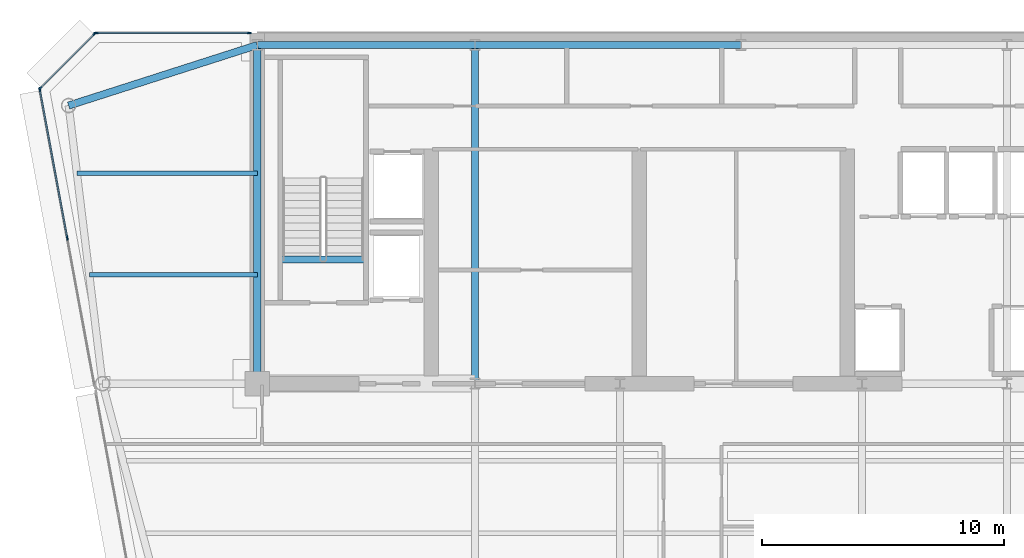
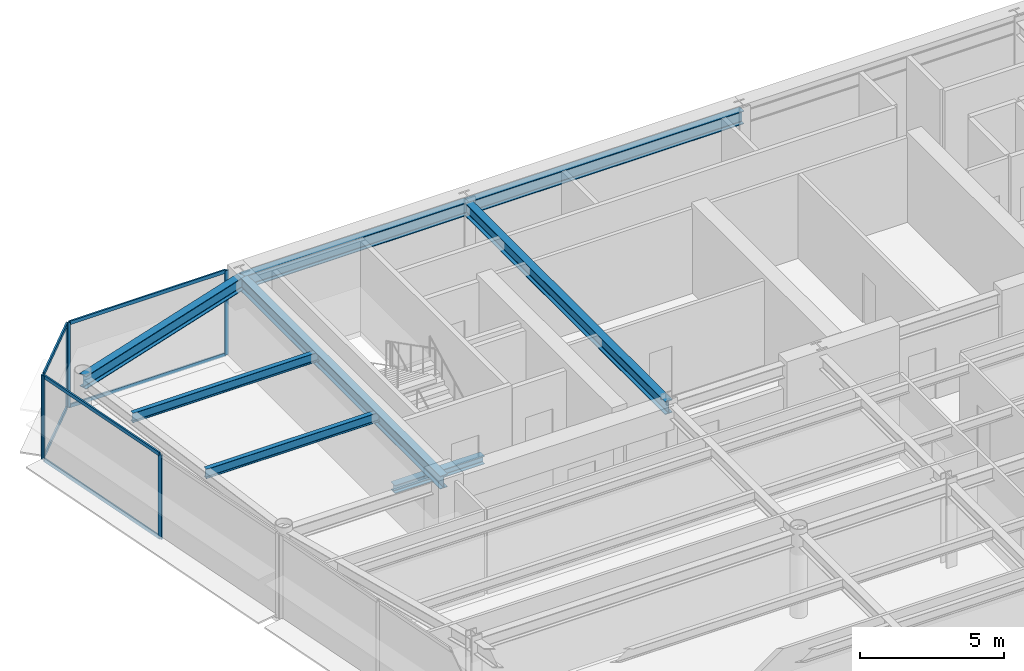
# One storey, part 8 of 16: 12 members, 8 beams, 3 elements without a shape of their own.
"""IFC4 building model written with IfcOpenShell, lengths in metres."""

import ifcopenshell
import ifcopenshell.guid

model = None  # the IFC model being written
_history = None  # IfcOwnerHistory: only IFC2X3 demands one
_inside = {}  # id of a spatial element -> (the spatial element, [elements in it])
_under = {}  # id of a project, library or spatial element -> (it, [spatial elements below it])
_declared = {}  # id of a project -> (the project, [libraries it declares])
_typed = {}  # id of a type object -> (the type object, [elements of that type])
_made_of = {}  # id of a material, layer set ... -> (it, [elements and type objects made of it])


def new_model(schema):
    """Start an empty IFC model of exactly this schema.

    Asked for "IFC4X3", IfcOpenShell would pick the latest addendum, in which some entities
    have other attributes; the version numbers below select the first issue.
    IFC2X3 requires an IfcOwnerHistory on every rooted entity: one is made here for all.
    """
    global model, _history
    if schema == "IFC4X3":
        model = ifcopenshell.file(schema_version=(4, 3, 0, 0))
    else:
        model = ifcopenshell.file(schema=schema)
    _inside.clear()
    _under.clear()
    _declared.clear()
    _typed.clear()
    _made_of.clear()
    _history = None
    if model.schema == "IFC2X3":
        org = make("IfcOrganization", Name="unknown")
        user = make(
            "IfcPersonAndOrganization",
            ThePerson=make("IfcPerson", FamilyName="unknown"),
            TheOrganization=org,
        )
        app = make(
            "IfcApplication",
            ApplicationDeveloper=org,
            Version="unknown",
            ApplicationFullName="unknown",
            ApplicationIdentifier="unknown",
        )
        _history = make(
            "IfcOwnerHistory",
            OwningUser=user,
            OwningApplication=app,
            ChangeAction="ADDED",
            CreationDate=0,
        )
    return model


def make(cls, **values):
    """One entity of the class cls with the attributes given. An attribute that is None is left unset."""
    return model.create_entity(
        cls, **{name: value for name, value in values.items() if value is not None}
    )


def rooted(cls, **values):
    """An entity with a GlobalId (a new one), such as an element, a storey or a relation."""
    return make(cls, GlobalId=ifcopenshell.guid.new(), OwnerHistory=_history, **values)


def si_unit(unit_type, name, prefix=None):
    """IfcSIUnit, for example si_unit("LENGTHUNIT", "METRE", prefix="MILLI")."""
    return make("IfcSIUnit", UnitType=unit_type, Prefix=prefix, Name=name)


def assignment(units):
    """IfcUnitAssignment: the units of a project."""
    return None if units is None else make("IfcUnitAssignment", Units=units)


def point(xyz):
    """IfcCartesianPoint."""
    return None if xyz is None else make("IfcCartesianPoint", Coordinates=xyz)


def direction(xyz):
    """IfcDirection."""
    return None if xyz is None else make("IfcDirection", DirectionRatios=xyz)


def frame(location, z_axis=None, x_axis=None):
    """IfcAxis2Placement3D, a coordinate frame: its origin and axes. An axis left out is left unset."""
    return make(
        "IfcAxis2Placement3D",
        Location=point(location),
        Axis=direction(z_axis),
        RefDirection=direction(x_axis),
    )


def frame_2d(location, x_axis=None):
    """IfcAxis2Placement2D, a coordinate frame in the plane: its origin and x axis."""
    return make(
        "IfcAxis2Placement2D", Location=point(location), RefDirection=direction(x_axis)
    )


def origin():
    """The frame at (0, 0, 0) with its axes left unset."""
    return frame((0.0, 0.0, 0.0))


def origin_2d():
    """The frame at (0, 0) in the plane with its x axis left unset."""
    return frame_2d((0.0, 0.0))


def place(relative_to, where):
    """IfcLocalPlacement: puts the frame where relative to a parent placement (None: the world)."""
    return make(
        "IfcLocalPlacement", PlacementRelTo=relative_to, RelativePlacement=where
    )


def context(
    kind, dimensions, precision=None, world=None, true_north=None, identifier=None
):
    """IfcGeometricRepresentationContext, for example the 3D "Model" context."""
    return make(
        "IfcGeometricRepresentationContext",
        ContextIdentifier=identifier,
        ContextType=kind,
        CoordinateSpaceDimension=dimensions,
        Precision=precision,
        WorldCoordinateSystem=world,
        TrueNorth=true_north,
    )


def subcontext(parent, identifier, kind, view, scale=None):
    """IfcGeometricRepresentationSubContext, for example "Body" below "Model"."""
    return make(
        "IfcGeometricRepresentationSubContext",
        ContextIdentifier=identifier,
        ContextType=kind,
        ParentContext=parent,
        TargetScale=scale,
        TargetView=view,
    )


def project(units=None, contexts=None):
    """IfcProject with its units and contexts."""
    return rooted(
        "IfcProject",
        Name="project",
        RepresentationContexts=contexts,
        UnitsInContext=assignment(units),
    )


def spatial(cls, under=None, at=None, **own):
    """A site, building, storey or space (cls), placed at a placement, below another one or the project."""
    s = rooted(cls, ObjectPlacement=at, **own)
    if under is not None:
        _under.setdefault(under.id(), (under, []))[1].append(s)
    return s


def profile(cls, at=None, kind="AREA", **sizes):
    """A parametric profile (cls). Its sizes go by their IFC names, for example OverallWidth=200.0."""
    return make(cls, ProfileType=kind, Position=at, **sizes)


def rectangle(**sizes):
    """IfcRectangleProfileDef."""
    return profile("IfcRectangleProfileDef", **sizes)


def i_section(**sizes):
    """IfcIShapeProfileDef."""
    return profile("IfcIShapeProfileDef", **sizes)


def extrude(swept, where, along, depth):
    """IfcExtrudedAreaSolid: the profile swept, set in the frame where, extruded along a direction by depth."""
    return make(
        "IfcExtrudedAreaSolid",
        SweptArea=swept,
        Position=where,
        ExtrudedDirection=direction(along),
        Depth=depth,
    )


def shape(context_of_items, identifier, shape_type, items):
    """IfcShapeRepresentation: the items that make up one representation, for example the "Body"."""
    return make(
        "IfcShapeRepresentation",
        ContextOfItems=context_of_items,
        RepresentationIdentifier=identifier,
        RepresentationType=shape_type,
        Items=items,
    )


def source(mapping_origin, context_of_items, identifier, shape_type, items):
    """IfcRepresentationMap: a shape defined once, which mapped items show again and again."""
    return make(
        "IfcRepresentationMap",
        MappingOrigin=mapping_origin,
        MappedRepresentation=shape(context_of_items, identifier, shape_type, items),
    )


def transform(
    local_origin,
    x_axis=None,
    y_axis=None,
    z_axis=None,
    scale=None,
    scale2=None,
    scale3=None,
    uniform=True,
):
    """IfcCartesianTransformationOperator3D, or its non-uniform kind. x_axis, y_axis, z_axis: its Axis1, 2, 3."""
    if uniform:
        return make(
            "IfcCartesianTransformationOperator3D",
            Axis1=direction(x_axis),
            Axis2=direction(y_axis),
            LocalOrigin=point(local_origin),
            Scale=scale,
            Axis3=direction(z_axis),
        )
    return make(
        "IfcCartesianTransformationOperator3DnonUniform",
        Axis1=direction(x_axis),
        Axis2=direction(y_axis),
        LocalOrigin=point(local_origin),
        Scale=scale,
        Axis3=direction(z_axis),
        Scale2=scale2,
        Scale3=scale3,
    )


def mapped(mapping_source, mapping_target):
    """IfcMappedItem: shows the shape of a source again, moved by a transform."""
    return make(
        "IfcMappedItem", MappingSource=mapping_source, MappingTarget=mapping_target
    )


def material(Name=None, Category=None):
    """IfcMaterial."""
    return make("IfcMaterial", Name=Name, Category=Category)


def layer(
    of_material, thickness, ventilated=None, Name=None, Category=None, Priority=None
):
    """IfcMaterialLayer: one layer of a wall or slab, of a material (None: an air gap)."""
    return make(
        "IfcMaterialLayer",
        Material=of_material,
        LayerThickness=thickness,
        IsVentilated=ventilated,
        Name=Name,
        Category=Category,
        Priority=Priority,
    )


def layer_set(layers, Name=None):
    """IfcMaterialLayerSet."""
    return make("IfcMaterialLayerSet", MaterialLayers=layers, LayerSetName=Name)


def material_profile(
    of_material, cross_section, Name=None, Category=None, Priority=None
):
    """IfcMaterialProfile: a cross section and its material."""
    return make(
        "IfcMaterialProfile",
        Name=Name,
        Material=of_material,
        Profile=cross_section,
        Priority=Priority,
        Category=Category,
    )


def profile_set(profiles, Name=None, composite=None):
    """IfcMaterialProfileSet."""
    return make(
        "IfcMaterialProfileSet",
        Name=Name,
        MaterialProfiles=profiles,
        CompositeProfile=composite,
    )


def made_of(thing, what):
    """Note that an element or type object is made of a material, layer set ...; save() writes the relation."""
    if what is not None:
        _made_of.setdefault(what.id(), (what, []))[1].append(thing)
    return thing


def type_object(cls, material=None, **own):
    """A type object (cls), such as IfcWallType, which elements share."""
    return made_of(rooted(cls, **own), material)


def element(
    cls,
    number,
    at=None,
    inside=None,
    cuts=None,
    type_object=None,
    material=None,
    context=None,
    identifier="Body",
    shape_type=None,
    held_by="IfcProductDefinitionShape",
    body=None,
    shapes=None,
    **own,
):
    """One element of the class cls, such as IfcWall. Its Tag is "e" and its number.

    at: its placement. inside: the storey or other place that contains it. cuts: it is an
    opening in that element (IfcRelVoidsElement). A single representation is given by context,
    identifier, shape_type and body (its items); several are given by shapes. held_by: the class
    of the entity that holds the representations. save() writes the other relations.
    """
    e = rooted(cls, Tag="e%d" % number, ObjectPlacement=at, **own)
    if body is not None:
        shapes = [shape(context, identifier, shape_type, body)]
    if shapes is not None:
        e.Representation = make(held_by, Representations=shapes)
    if inside is not None:
        _inside.setdefault(inside.id(), (inside, []))[1].append(e)
    if cuts is not None:
        rooted(
            "IfcRelVoidsElement", RelatingBuildingElement=cuts, RelatedOpeningElement=e
        )
    if type_object is not None:
        _typed.setdefault(type_object.id(), (type_object, []))[1].append(e)
    return made_of(e, material)


def aggregate(whole, parts):
    """IfcRelAggregates: a whole, such as a stair, and the parts it consists of."""
    return rooted("IfcRelAggregates", RelatingObject=whole, RelatedObjects=parts)


def save(model, path):
    """Write the relations noted so far, then the file.

    IfcRelAggregates (storeys below a building ...), IfcRelContainedInSpatialStructure (elements
    in a storey), IfcRelDefinesByType, IfcRelAssociatesMaterial and IfcRelDeclares: one each for
    every whole, place, type object, material and project.
    """
    for whole, parts in _under.values():
        aggregate(whole, parts)
    for where, things in _inside.values():
        rooted(
            "IfcRelContainedInSpatialStructure",
            RelatedElements=things,
            RelatingStructure=where,
        )
    for kind, things in _typed.values():
        rooted("IfcRelDefinesByType", RelatedObjects=things, RelatingType=kind)
    for what, things in _made_of.values():
        rooted("IfcRelAssociatesMaterial", RelatedObjects=things, RelatingMaterial=what)
    for by, libraries in _declared.values():
        rooted("IfcRelDeclares", RelatingContext=by, RelatedDefinitions=libraries)
    model.write(path)


model = new_model("IFC4")

# Units and contexts
model_context = context("Model", 3, precision=1e-05, world=origin(), true_north=direction((0.0, 1.0)))
body_context = subcontext(model_context, "Body", "Model", "MODEL_VIEW")
ifc_project = project(units=[si_unit("LENGTHUNIT", "METRE"), si_unit("AREAUNIT", "SQUARE_METRE"), si_unit("VOLUMEUNIT", "CUBIC_METRE"), si_unit("PLANEANGLEUNIT", "RADIAN"), si_unit("MASSUNIT", "GRAM", prefix="KILO")], contexts=[model_context])

# Site, building, storey
site_placement = place(None, origin())
site = spatial("IfcSite", under=ifc_project, at=site_placement, CompositionType="ELEMENT")
building_placement = place(site_placement, origin())
building = spatial("IfcBuilding", under=site, at=building_placement, Name="Vaeldorn Concourse Tower", CompositionType="ELEMENT")
storey_placement = place(building_placement, frame((0.0, 0.0, 227.0)))
storey = spatial("IfcBuildingStorey", under=building, at=storey_placement, Name="L58", CompositionType="ELEMENT", Elevation=227.0)

# Beams
ifc_material_1 = material(Name="Steel S355", Category="steel")
ifc_material_profile_1 = material_profile(ifc_material_1, i_section(OverallWidth=0.300048828125, OverallDepth=0.340087890625, WebThickness=0.011962890625, FlangeThickness=0.021484375, FilletRadius=0.027099609375, at=origin_2d()), Name="HEB 340")
ifc_profile_set_1 = profile_set([ifc_material_profile_1], Name="Steel S355")
beam_type_1 = type_object("IfcBeamType", Name="BM-ST-TRIM", PredefinedType="BEAM", material=ifc_profile_set_1)
shared_shape_1 = source(origin(), body_context, "Body", "SweptSolid", [
    extrude(i_section(OverallWidth=0.300048828125, OverallDepth=0.340087890625, WebThickness=0.011962890625, FlangeThickness=0.021484375, FilletRadius=0.027099609375, at=origin_2d()), origin(), (0.0, 0.0, 1.0), 3.590087890625),
])
beam_1_placement = place(storey_placement, frame((14.929931640625, 41.639892578125, -0.389892578125), z_axis=(1.0, 0.0, 0.0), x_axis=(0.0, 1.0, 0.0)))
element("IfcBeam", 1, at=beam_1_placement, inside=storey, type_object=beam_type_1, Name="Stair Landing Trimmer Beam ST-1 L58", PredefinedType="BEAM", context=body_context, shape_type="MappedRepresentation", body=[
    mapped(shared_shape_1, transform((0.0, 0.0, 0.0), scale=1.0)),
])
ifc_material_profile_2 = material_profile(ifc_material_1, i_section(OverallWidth=0.179931640625, OverallDepth=0.39990234375, WebThickness=0.008544921875, FlangeThickness=0.013427734375, FilletRadius=0.02099609375, at=origin_2d()), Name="IPE 400")
ifc_profile_set_2 = profile_set([ifc_material_profile_2], Name="Steel S355")
beam_type_2 = type_object("IfcBeamType", Name="BM-JS-IPE400", PredefinedType="JOIST", material=ifc_profile_set_2)
shared_shape_2 = source(origin(), body_context, "Body", "SweptSolid", [
    extrude(i_section(OverallWidth=0.179931640625, OverallDepth=0.39990234375, WebThickness=0.008544921875, FlangeThickness=0.013427734375, FilletRadius=0.02099609375, at=origin_2d()), origin(), (0.0, 0.0, 1.0), 6.94775390625),
])
beam_2_placement = place(storey_placement, frame((7.05224609375, 41.0, 3.3798828125), z_axis=(1.0, 0.0, 0.0), x_axis=(0.0, 1.0, 0.0)))
element("IfcBeam", 2, at=beam_2_placement, inside=storey, type_object=beam_type_2, Name="Beam JS-L58-NW-410", PredefinedType="JOIST", context=body_context, shape_type="MappedRepresentation", body=[
    mapped(shared_shape_2, transform((0.0, 0.0, 0.0), scale=1.0)),
])
shared_shape_3 = source(origin(), body_context, "Body", "SweptSolid", [
    extrude(i_section(OverallWidth=0.179931640625, OverallDepth=0.39990234375, WebThickness=0.008544921875, FlangeThickness=0.013427734375, FilletRadius=0.02099609375, at=origin_2d()), origin(), (0.0, 0.0, 1.0), 7.458984375),
])
beam_3_placement = place(storey_placement, frame((6.541015625, 45.199951171875, 3.3798828125), z_axis=(1.0, 0.0, 0.0), x_axis=(0.0, 1.0, 0.0)))
element("IfcBeam", 3, at=beam_3_placement, inside=storey, type_object=beam_type_2, Name="Beam JS-L58-NW-452", PredefinedType="JOIST", context=body_context, shape_type="MappedRepresentation", body=[
    mapped(shared_shape_3, transform((0.0, 0.0, 0.0), scale=1.0)),
])
ifc_material_profile_3 = material_profile(ifc_material_1, i_section(OverallWidth=0.300048828125, OverallDepth=0.550048828125, WebThickness=0.014892578125, FlangeThickness=0.029052734375, FilletRadius=0.027099609375, at=origin_2d()), Name="HEB 550")
ifc_profile_set_3 = profile_set([ifc_material_profile_3], Name="Steel S355")
beam_type_3 = type_object("IfcBeamType", Name="BM-PG-HEB550", PredefinedType="BEAM", material=ifc_profile_set_3)
shared_shape_4 = source(origin(), body_context, "Body", "SweptSolid", [
    extrude(i_section(OverallWidth=0.300048828125, OverallDepth=0.550048828125, WebThickness=0.014892578125, FlangeThickness=0.029052734375, FilletRadius=0.027099609375, at=origin_2d()), origin(), (0.0, 0.0, 1.0), 9.0),
])
beam_4_placement = place(storey_placement, frame((14.0, 50.5, 3.304931640625), z_axis=(1.0, 0.0, 0.0), x_axis=(0.0, 1.0, 0.0)))
element("IfcBeam", 4, at=beam_4_placement, inside=storey, type_object=beam_type_3, Name="Beam BM-L58-C-HC1-C-HC2", PredefinedType="BEAM", context=body_context, shape_type="MappedRepresentation", body=[
    mapped(shared_shape_4, transform((0.0, 0.0, 0.0), scale=1.0)),
])
shared_shape_5 = source(origin(), body_context, "Body", "SweptSolid", [
    extrude(i_section(OverallWidth=0.300048828125, OverallDepth=0.550048828125, WebThickness=0.014892578125, FlangeThickness=0.029052734375, FilletRadius=0.027099609375, at=origin_2d()), origin(), (0.0, 0.0, 1.0), 11.0),
])
beam_5_placement = place(storey_placement, frame((23.0, 50.5, 3.304931640625), z_axis=(1.0, 0.0, 0.0), x_axis=(0.0, 1.0, 0.0)))
element("IfcBeam", 5, at=beam_5_placement, inside=storey, type_object=beam_type_3, Name="Beam BM-L58-C-HC2-C-HC3", PredefinedType="BEAM", context=body_context, shape_type="MappedRepresentation", body=[
    mapped(shared_shape_5, transform((0.0, 0.0, 0.0), scale=1.0)),
])
shared_shape_6 = source(origin(), body_context, "Body", "SweptSolid", [
    extrude(i_section(OverallWidth=0.300048828125, OverallDepth=0.550048828125, WebThickness=0.014892578125, FlangeThickness=0.029052734375, FilletRadius=0.027099609375, at=origin_2d()), origin(), (0.0, 0.0, 1.0), 14.0),
])
for number, where, z_axis, x_axis, name in (
    (6, (14.0, 36.5, 3.304931640625), (0.0, 1.0, 0.0), (-1.0, 0.0, 0.0), "Beam BM-L58-C-FC1-C-HC1"),
    (7, (23.0, 36.5, 3.304931640625), (0.0, 1.0, 0.0), (-1.0, 0.0, 0.0), "Beam BM-L58-C-FC2-C-HC2"),
):
    element("IfcBeam", number, at=place(storey_placement, frame(where, z_axis=z_axis, x_axis=x_axis)), inside=storey, type_object=beam_type_3, Name=name, PredefinedType="BEAM", context=body_context, shape_type="MappedRepresentation", body=[
        mapped(shared_shape_6, transform((0.0, 0.0, 0.0), scale=1.0)),
    ])
shared_shape_7 = source(origin(), body_context, "Body", "SweptSolid", [
    extrude(i_section(OverallWidth=0.300048828125, OverallDepth=0.550048828125, WebThickness=0.014892578125, FlangeThickness=0.029052734375, FilletRadius=0.027099609375, at=origin_2d()), origin(), (0.0, 0.0, 1.0), 8.19091796875),
])
beam_6_placement = place(storey_placement, frame((6.199951171875, 48.0, 3.304931640625), z_axis=(0.952282843383, 0.305216949396, 0.0), x_axis=(-0.305216949396, 0.952282843383, 0.0)))
element("IfcBeam", 8, at=beam_6_placement, inside=storey, type_object=beam_type_3, Name="Beam BM-L58-C-NW1-C-HC1", PredefinedType="BEAM", context=body_context, shape_type="MappedRepresentation", body=[
    mapped(shared_shape_7, transform((0.0, 0.0, 0.0), scale=1.0)),
])

# Curtain wall, members
ifc_material_2 = material(Name="Anodised Bronze Aluminium", Category="aluminium")
ifc_layer = layer(ifc_material_2, 0.179931640625)
ifc_layer_set = layer_set([ifc_layer], Name="Anodised Bronze Aluminium")
curtain_wall_type = type_object("IfcCurtainWallType", Name="CW-SYS-05", PredefinedType="NOTDEFINED", material=ifc_layer_set)
curtain_wall_1_placement = place(storey_placement, origin())
curtain_wall_1 = element("IfcCurtainWall", 9, at=curtain_wall_1_placement, inside=storey, type_object=curtain_wall_type, Name="Unitised Curtain Wall CW-L58-E10-1", PredefinedType="NOTDEFINED")
ifc_material_profile_4 = material_profile(ifc_material_2, rectangle(XDim=0.06494140625, YDim=0.14990234375, at=origin_2d()), Name="CWT 65x150")
ifc_profile_set_4 = profile_set([ifc_material_profile_4], Name="Anodised Bronze Aluminium")
member_type_1 = type_object("IfcMemberType", Name="CWT-BRONZE-150", PredefinedType="USERDEFINED", material=ifc_profile_set_4)
shared_shape_8 = source(origin(), body_context, "Body", "SweptSolid", [
    extrude(rectangle(XDim=0.06494140625, YDim=0.14990234375, at=origin_2d()), origin(), (0.0, 0.0, 1.0), 3.123046875),
])
member_1_placement = place(storey_placement, frame((7.254150390625, 50.9541015625, 0.032470703125), z_axis=(-0.707106781187, -0.707106781187, 0.0), x_axis=(0.707106781187, -0.707106781187, 0.0)))
member_1 = element("IfcMember", 10, at=member_1_placement, type_object=member_type_1, Name="CW-05 transom 1.1", ObjectType="TRANSOM", PredefinedType="USERDEFINED", context=body_context, shape_type="MappedRepresentation", body=[
    mapped(shared_shape_8, transform((0.0, 0.0, 0.0), scale=1.0)),
])
member_2_placement = place(storey_placement, frame((7.254150390625, 50.9541015625, 3.547607421875), z_axis=(-0.707106781187, -0.707106781187, 0.0), x_axis=(0.707106781187, -0.707106781187, 0.0)))
member_2 = element("IfcMember", 11, at=member_2_placement, type_object=member_type_1, Name="CW-05 transom 1.2", ObjectType="TRANSOM", PredefinedType="USERDEFINED", context=body_context, shape_type="MappedRepresentation", body=[
    mapped(shared_shape_8, transform((0.0, 0.0, 0.0), scale=1.0)),
])

curtain_wall_2_placement = place(storey_placement, origin())
curtain_wall_2 = element("IfcCurtainWall", 12, at=curtain_wall_2_placement, inside=storey, type_object=curtain_wall_type, Name="Unitised Curtain Wall CW-L58-E09-2", PredefinedType="NOTDEFINED")
ifc_material_profile_5 = material_profile(ifc_material_2, rectangle(XDim=0.06494140625, YDim=0.169921875, at=origin_2d()), Name="CWM 65x170")
ifc_profile_set_5 = profile_set([ifc_material_profile_5], Name="Anodised Bronze Aluminium")
member_type_2 = type_object("IfcMemberType", Name="CWM-BRONZE-170", PredefinedType="MULLION", material=ifc_profile_set_5)
shared_shape_9 = source(origin(), body_context, "Body", "SweptSolid", [
    extrude(rectangle(XDim=0.06494140625, YDim=0.169921875, at=origin_2d()), origin(), (0.0, 0.0, 1.0), 3.580078125),
])
member_3_placement = place(storey_placement, frame((13.672607421875, 51.0, 0.0), z_axis=(0.0, 0.0, 1.0), x_axis=(0.0, -1.0, 0.0)))
member_3 = element("IfcMember", 13, at=member_3_placement, type_object=member_type_2, Name="CW-05 mullion 1", PredefinedType="MULLION", context=body_context, shape_type="MappedRepresentation", body=[
    mapped(shared_shape_9, transform((0.0, 0.0, 0.0), scale=1.0)),
])
member_4_placement = place(storey_placement, frame((7.33251953125, 51.0, 0.0), z_axis=(0.0, 0.0, 1.0), x_axis=(0.0, -1.0, 0.0)))
member_4 = element("IfcMember", 14, at=member_4_placement, type_object=member_type_2, Name="CW-05 mullion 2", PredefinedType="MULLION", context=body_context, shape_type="MappedRepresentation", body=[
    mapped(shared_shape_9, transform((0.0, 0.0, 0.0), scale=1.0)),
])

# Member
member_5_placement = place(storey_placement, frame((7.277099609375, 50.97705078125, 0.0), z_axis=(0.0, 0.0, 1.0), x_axis=(0.707106781187, -0.707106781187, 0.0)))
member_5 = element("IfcMember", 15, at=member_5_placement, type_object=member_type_2, Name="CW-05 mullion 1", PredefinedType="MULLION", context=body_context, shape_type="MappedRepresentation", body=[
    mapped(shared_shape_9, transform((0.0, 0.0, 0.0), scale=1.0)),
])

member_6_placement = place(storey_placement, frame((5.02294921875, 48.722900390625, 0.0), z_axis=(0.0, 0.0, 1.0), x_axis=(0.707106781187, -0.707106781187, 0.0)))
member_6 = element("IfcMember", 16, at=member_6_placement, type_object=member_type_2, Name="CW-05 mullion 2", PredefinedType="MULLION", context=body_context, shape_type="MappedRepresentation", body=[
    mapped(shared_shape_9, transform((0.0, 0.0, 0.0), scale=1.0)),
])

aggregate(curtain_wall_1, [member_5, member_6, member_1, member_2])

# Curtain wall, members
curtain_wall_3_placement = place(storey_placement, origin())
curtain_wall_3 = element("IfcCurtainWall", 17, at=curtain_wall_3_placement, inside=storey, type_object=curtain_wall_type, Name="Unitised Curtain Wall CW-L58-E11-1", PredefinedType="NOTDEFINED")
member_7_placement = place(storey_placement, frame((5.005859375, 48.66796875, 0.0), z_axis=(0.0, 0.0, 1.0), x_axis=(0.983319198447, 0.181888300792, 0.0)))
member_7 = element("IfcMember", 18, at=member_7_placement, type_object=member_type_2, Name="CW-05 mullion 1", PredefinedType="MULLION", context=body_context, shape_type="MappedRepresentation", body=[
    mapped(shared_shape_9, transform((0.0, 0.0, 0.0), scale=1.0)),
])
member_8_placement = place(storey_placement, frame((6.142578125, 42.5234375, 0.0), z_axis=(0.0, 0.0, 1.0), x_axis=(0.983319198447, 0.181888300792, 0.0)))
member_8 = element("IfcMember", 19, at=member_8_placement, type_object=member_type_2, Name="CW-05 mullion 2", PredefinedType="MULLION", context=body_context, shape_type="MappedRepresentation", body=[
    mapped(shared_shape_9, transform((0.0, 0.0, 0.0), scale=1.0)),
])

# Member
shared_shape_10 = source(origin(), body_context, "Body", "SweptSolid", [
    extrude(rectangle(XDim=0.06494140625, YDim=0.14990234375, at=origin_2d()), origin(), (0.0, 0.0, 1.0), 6.27490234375),
])
member_9_placement = place(storey_placement, frame((13.639892578125, 51.0, 0.032470703125), z_axis=(-1.0, 0.0, 0.0), x_axis=(0.0, -1.0, 0.0)))
member_9 = element("IfcMember", 20, at=member_9_placement, type_object=member_type_1, Name="CW-05 transom 1.1", ObjectType="TRANSOM", PredefinedType="USERDEFINED", context=body_context, shape_type="MappedRepresentation", body=[
    mapped(shared_shape_10, transform((0.0, 0.0, 0.0), scale=1.0)),
])

member_10_placement = place(storey_placement, frame((13.639892578125, 51.0, 3.547607421875), z_axis=(-1.0, 0.0, 0.0), x_axis=(0.0, -1.0, 0.0)))
member_10 = element("IfcMember", 21, at=member_10_placement, type_object=member_type_1, Name="CW-05 transom 1.2", ObjectType="TRANSOM", PredefinedType="USERDEFINED", context=body_context, shape_type="MappedRepresentation", body=[
    mapped(shared_shape_10, transform((0.0, 0.0, 0.0), scale=1.0)),
])

aggregate(curtain_wall_2, [member_3, member_4, member_9, member_10])

shared_shape_11 = source(origin(), body_context, "Body", "SweptSolid", [
    extrude(rectangle(XDim=0.06494140625, YDim=0.14990234375, at=origin_2d()), origin(), (0.0, 0.0, 1.0), 6.183837890625),
])
member_11_placement = place(storey_placement, frame((5.01171875, 48.635986328125, 0.032470703125), z_axis=(0.181889913007, -0.983318900228, 0.0), x_axis=(0.983318900228, 0.181889913007, 0.0)))
member_11 = element("IfcMember", 22, at=member_11_placement, type_object=member_type_1, Name="CW-05 transom 1.1", ObjectType="TRANSOM", PredefinedType="USERDEFINED", context=body_context, shape_type="MappedRepresentation", body=[
    mapped(shared_shape_11, transform((0.0, 0.0, 0.0), scale=1.0)),
])

member_12_placement = place(storey_placement, frame((5.01171875, 48.635986328125, 3.547607421875), z_axis=(0.181889913007, -0.983318900228, 0.0), x_axis=(0.983318900228, 0.181889913007, 0.0)))
member_12 = element("IfcMember", 23, at=member_12_placement, type_object=member_type_1, Name="CW-05 transom 1.2", ObjectType="TRANSOM", PredefinedType="USERDEFINED", context=body_context, shape_type="MappedRepresentation", body=[
    mapped(shared_shape_11, transform((0.0, 0.0, 0.0), scale=1.0)),
])

aggregate(curtain_wall_3, [member_7, member_8, member_11, member_12])

save(model, "model.ifc")
